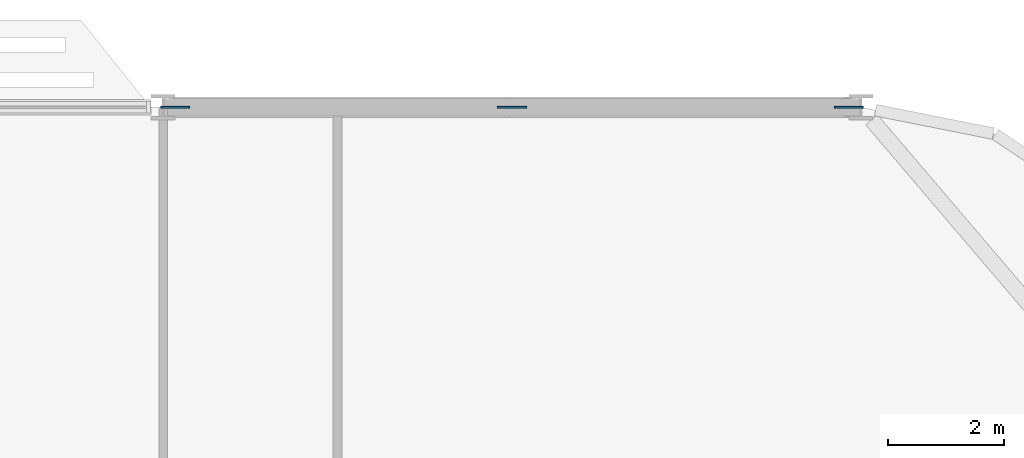
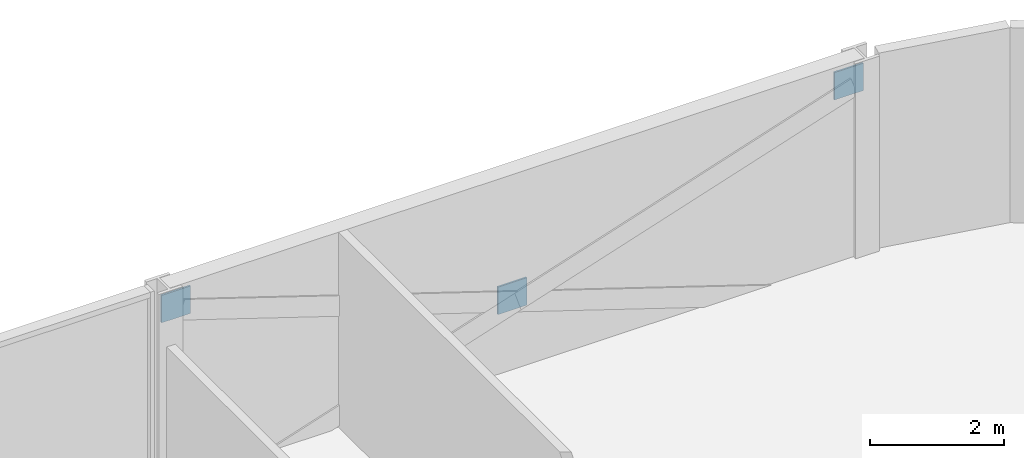
# One storey, part 24 of 29: 3 discrete accessories.
"""IFC4 building model written with IfcOpenShell, lengths in metres."""

from ifc_helpers import new_model, si_unit, direction, frame, origin, origin_2d, place, context, subcontext, project, spatial, rectangle, extrude, material, layer, layer_set, type_object, element, save


model = new_model("IFC4")

# Units and contexts
model_context = context("Model", 3, precision=1e-05, world=origin(), true_north=direction((0.0, 1.0)))
body_context = subcontext(model_context, "Body", "Model", "MODEL_VIEW")
ifc_project = project(units=[si_unit("LENGTHUNIT", "METRE"), si_unit("AREAUNIT", "SQUARE_METRE"), si_unit("VOLUMEUNIT", "CUBIC_METRE"), si_unit("PLANEANGLEUNIT", "RADIAN"), si_unit("MASSUNIT", "GRAM", prefix="KILO")], contexts=[model_context])

# Site, building, storey
site_placement = place(None, origin())
site = spatial("IfcSite", under=ifc_project, at=site_placement, CompositionType="ELEMENT")
building_placement = place(site_placement, origin())
building = spatial("IfcBuilding", under=site, at=building_placement, Name="Mahtab Terrace Research Tower", CompositionType="ELEMENT")
storey_placement = place(building_placement, frame((0.0, 0.0, 150.699951171875)))
storey = spatial("IfcBuildingStorey", under=building, at=storey_placement, Name="L35", CompositionType="ELEMENT", Elevation=150.699951171875)

# Discrete accessories
ifc_material = material(Name="Steel ASTM A992 Gr 50", Category="steel")
ifc_layer = layer(ifc_material, 0.030029296875)
ifc_layer_set = layer_set([ifc_layer], Name="Gusset plate 500x500x30")
discrete_accessory_type = type_object("IfcDiscreteAccessoryType", Name="Gusset plate 500x500x30", PredefinedType="USERDEFINED", material=ifc_layer_set)
for number, where, z_axis, x_axis, name in (
    (1, (30.205810546875, 29.0, 2.85498046875), (0.0, 0.0, 1.0), (1.0, 0.0, 0.0), "Gusset plate"),
    (2, (36.0, 29.0, 0.9765625), (0.0, 0.0, 1.0), (1.0, 0.0, 0.0), "Gusset plate"),
    (3, (41.794189453125, 29.0, 2.85498046875), (0.0, 0.0, 1.0), (1.0, 0.0, 0.0), "Gusset plate"),
):
    element("IfcDiscreteAccessory", number, at=place(storey_placement, frame(where, z_axis=z_axis, x_axis=x_axis)), inside=storey, type_object=discrete_accessory_type, Name=name, ObjectType="GUSSET PLATE", PredefinedType="USERDEFINED", context=body_context, shape_type="SweptSolid", body=[
        extrude(rectangle(XDim=0.5, YDim=0.030029296875, at=origin_2d()), origin(), (0.0, 0.0, 1.0), 0.5),
    ])

save(model, "model.ifc")
